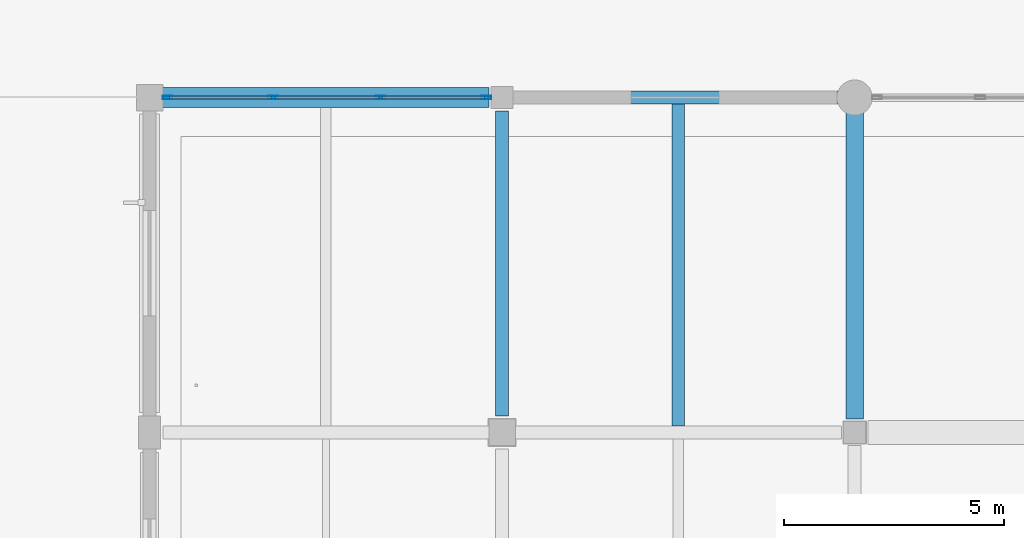
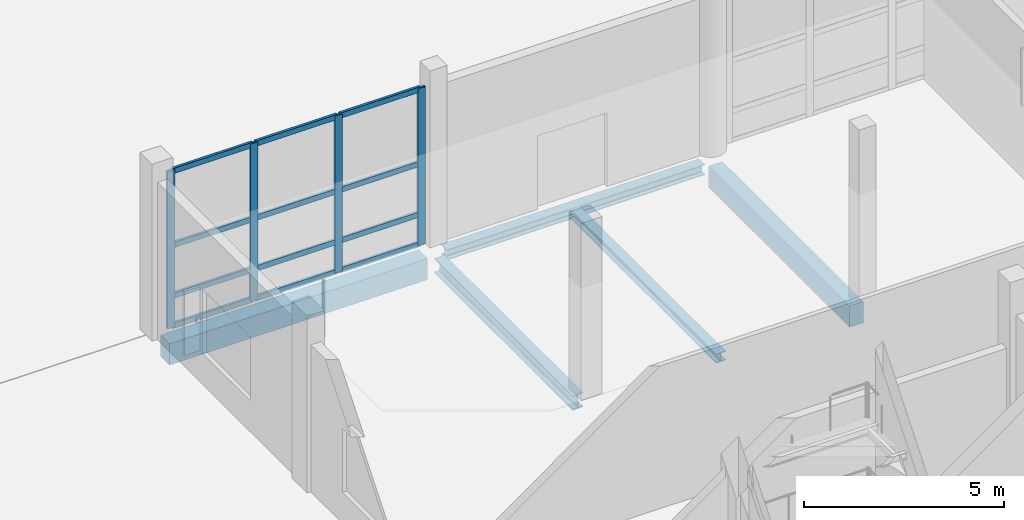
# One storey, part 18 of 126: 16 members, 5 beams, 1 element without a shape of its own.
"""IFC4 building model written with IfcOpenShell, lengths in metres."""

from ifc_helpers import new_model, si_unit, direction, frame, origin, origin_2d, place, context, subcontext, project, spatial, rectangle, hollow_rectangle, i_section, extrude, material, material_profile, profile_set, type_object, element, aggregate, save


model = new_model("IFC4")

# Units and contexts
model_context = context("Model", 3, precision=1e-05, world=origin(), true_north=direction((0.0, 1.0)))
body_context = subcontext(model_context, "Body", "Model", "MODEL_VIEW")
ifc_project = project(units=[si_unit("LENGTHUNIT", "METRE"), si_unit("AREAUNIT", "SQUARE_METRE"), si_unit("VOLUMEUNIT", "CUBIC_METRE"), si_unit("PLANEANGLEUNIT", "RADIAN"), si_unit("MASSUNIT", "GRAM", prefix="KILO")], contexts=[model_context])

# Site, building, storey
site_placement = place(None, origin())
site = spatial("IfcSite", under=ifc_project, at=site_placement, CompositionType="ELEMENT")
building_placement = place(site_placement, origin())
building = spatial("IfcBuilding", under=site, at=building_placement, Name="Khelvaren Railside Concert Hall", CompositionType="ELEMENT")
storey_placement = place(building_placement, origin())
storey = spatial("IfcBuildingStorey", under=building, at=storey_placement, Name="L00", CompositionType="ELEMENT", Elevation=0.0)

# Beams
ifc_material_1 = material(Name="Concrete C40/50", Category="concrete")
ifc_material_profile_1 = material_profile(ifc_material_1, rectangle(XDim=0.39990234375, YDim=0.64990234375, at=origin_2d()), Name="RCB 400x650")
ifc_profile_set_1 = profile_set([ifc_material_profile_1], Name="Concrete C40/50")
beam_type_1 = type_object("IfcBeamType", Name="BM33", PredefinedType="BEAM", material=ifc_profile_set_1)
beam_1_placement = place(storey_placement, frame((80.0, 15.5, -0.64501953125), z_axis=(0.0, 1.0, 0.0), x_axis=(-1.0, 0.0, 0.0)))
element("IfcBeam", 1, at=beam_1_placement, inside=storey, type_object=beam_type_1, Name="V3 L00 Beam Y3.3", PredefinedType="BEAM", context=body_context, shape_type="SweptSolid", body=[
    extrude(rectangle(XDim=0.39990234375, YDim=0.64990234375, at=origin_2d()), origin(), (0.0, 0.0, 1.0), 7.050048828125),
])
ifc_material_2 = material(Name="Steel S355", Category="steel")
ifc_material_profile_2 = material_profile(ifc_material_2, i_section(OverallWidth=0.300048828125, OverallDepth=0.43994140625, WebThickness=0.011474609375, FlangeThickness=0.02099609375, FilletRadius=0.027099609375, at=origin_2d()), Name="HEA 450")
ifc_profile_set_2 = profile_set([ifc_material_profile_2], Name="Steel S355")
beam_type_2 = type_object("IfcBeamType", Name="BM89", PredefinedType="BEAM", material=ifc_profile_set_2)
beam_2_placement = place(storey_placement, frame((72.0, 15.574951171875, -0.5400390625), z_axis=(0.0, 1.0, 0.0), x_axis=(-1.0, 0.0, 0.0)))
element("IfcBeam", 2, at=beam_2_placement, inside=storey, type_object=beam_type_2, Name="V3 L00 Beam Y2.3", PredefinedType="BEAM", context=body_context, shape_type="SweptSolid", body=[
    extrude(i_section(OverallWidth=0.300048828125, OverallDepth=0.43994140625, WebThickness=0.011474609375, FlangeThickness=0.02099609375, FilletRadius=0.027099609375, at=origin_2d()), origin(), (0.0, 0.0, 1.0), 6.925048828125),
])

# Curtain wall, members
ifc_material_3 = material(Name="Triple-glazed solar-control glass", Category="glass")
curtain_wall_type = type_object("IfcCurtainWallType", Name="CW88", PredefinedType="USERDEFINED", material=ifc_material_3)
curtain_wall_placement = place(storey_placement, origin())
curtain_wall = element("IfcCurtainWall", 3, at=curtain_wall_placement, inside=storey, type_object=curtain_wall_type, Name="Unitised Curtain Wall CW-V3-L00-N-64", ObjectType="UNITISED CURTAIN WALL", PredefinedType="USERDEFINED")
ifc_material_4 = material(Name="Anodised architectural aluminium 6063-T6", Category="aluminium")
ifc_material_profile_3 = material_profile(ifc_material_4, hollow_rectangle(XDim=0.074951171875, YDim=0.219970703125, WallThickness=0.0048828125, InnerFilletRadius=0.0029296875, OuterFilletRadius=0.0048828125, at=origin_2d()), Name="CWM 75x220x5")
ifc_profile_set_3 = profile_set([ifc_material_profile_3], Name="Anodised architectural aluminium 6063-T6")
member_type_1 = type_object("IfcMemberType", Name="CWM13", PredefinedType="MULLION", material=ifc_profile_set_3)
member_1_placement = place(storey_placement, frame((64.409912109375, 22.800048828125, 0.0), z_axis=(0.0, 0.0, 1.0), x_axis=(0.0, 1.0, 0.0)))
member_1 = element("IfcMember", 4, at=member_1_placement, type_object=member_type_1, Name="CW88 mullion 1", PredefinedType="MULLION", context=body_context, shape_type="SweptSolid", body=[
    extrude(hollow_rectangle(XDim=0.074951171875, YDim=0.219970703125, WallThickness=0.0048828125, InnerFilletRadius=0.0029296875, OuterFilletRadius=0.0048828125, at=origin_2d()), origin(), (0.0, 0.0, 1.0), 4.800048828125),
])
member_2_placement = place(storey_placement, frame((66.8076171875, 22.800048828125, 0.0), z_axis=(0.0, 0.0, 1.0), x_axis=(0.0, 1.0, 0.0)))
member_2 = element("IfcMember", 5, at=member_2_placement, type_object=member_type_1, Name="CW88 mullion 2", PredefinedType="MULLION", context=body_context, shape_type="SweptSolid", body=[
    extrude(hollow_rectangle(XDim=0.074951171875, YDim=0.219970703125, WallThickness=0.0048828125, InnerFilletRadius=0.0029296875, OuterFilletRadius=0.0048828125, at=origin_2d()), origin(), (0.0, 0.0, 1.0), 4.800048828125),
])
member_3_placement = place(storey_placement, frame((69.242431640625, 22.800048828125, 0.0), z_axis=(0.0, 0.0, 1.0), x_axis=(0.0, 1.0, 0.0)))
member_3 = element("IfcMember", 6, at=member_3_placement, type_object=member_type_1, Name="CW88 mullion 3", PredefinedType="MULLION", context=body_context, shape_type="SweptSolid", body=[
    extrude(hollow_rectangle(XDim=0.074951171875, YDim=0.219970703125, WallThickness=0.0048828125, InnerFilletRadius=0.0029296875, OuterFilletRadius=0.0048828125, at=origin_2d()), origin(), (0.0, 0.0, 1.0), 4.800048828125),
])
member_4_placement = place(storey_placement, frame((71.639892578125, 22.800048828125, 0.0), z_axis=(0.0, 0.0, 1.0), x_axis=(0.0, 1.0, 0.0)))
member_4 = element("IfcMember", 7, at=member_4_placement, type_object=member_type_1, Name="CW88 mullion 4", PredefinedType="MULLION", context=body_context, shape_type="SweptSolid", body=[
    extrude(hollow_rectangle(XDim=0.074951171875, YDim=0.219970703125, WallThickness=0.0048828125, InnerFilletRadius=0.0029296875, OuterFilletRadius=0.0048828125, at=origin_2d()), origin(), (0.0, 0.0, 1.0), 4.800048828125),
])
ifc_material_profile_4 = material_profile(ifc_material_4, hollow_rectangle(XDim=0.074951171875, YDim=0.1650390625, WallThickness=0.00390625, InnerFilletRadius=0.001953125, OuterFilletRadius=0.00390625, at=origin_2d()), Name="CWT 75x165x4")
ifc_profile_set_4 = profile_set([ifc_material_profile_4], Name="Anodised architectural aluminium 6063-T6")
member_type_2 = type_object("IfcMemberType", Name="CWT46", PredefinedType="USERDEFINED", material=ifc_profile_set_4)
member_5_placement = place(storey_placement, frame((64.447509765625, 22.800048828125, 0.03759765625), z_axis=(1.0, 0.0, 0.0), x_axis=(0.0, 1.0, 0.0)))
member_5 = element("IfcMember", 8, at=member_5_placement, type_object=member_type_2, Name="CW88 transom 1.1", ObjectType="TRANSOM", PredefinedType="USERDEFINED", context=body_context, shape_type="SweptSolid", body=[
    extrude(hollow_rectangle(XDim=0.074951171875, YDim=0.1650390625, WallThickness=0.00390625, InnerFilletRadius=0.001953125, OuterFilletRadius=0.00390625, at=origin_2d()), origin(), (0.0, 0.0, 1.0), 2.322509765625),
])
member_6_placement = place(storey_placement, frame((64.447509765625, 22.800048828125, 0.949951171875), z_axis=(1.0, 0.0, 0.0), x_axis=(0.0, 1.0, 0.0)))
member_6 = element("IfcMember", 9, at=member_6_placement, type_object=member_type_2, Name="CW88 transom 1.2", ObjectType="TRANSOM", PredefinedType="USERDEFINED", context=body_context, shape_type="SweptSolid", body=[
    extrude(hollow_rectangle(XDim=0.074951171875, YDim=0.1650390625, WallThickness=0.00390625, InnerFilletRadius=0.001953125, OuterFilletRadius=0.00390625, at=origin_2d()), origin(), (0.0, 0.0, 1.0), 2.322509765625),
])
member_7_placement = place(storey_placement, frame((64.447509765625, 22.800048828125, 2.49609375), z_axis=(1.0, 0.0, 0.0), x_axis=(0.0, 1.0, 0.0)))
member_7 = element("IfcMember", 10, at=member_7_placement, type_object=member_type_2, Name="CW88 transom 1.3", ObjectType="TRANSOM", PredefinedType="USERDEFINED", context=body_context, shape_type="SweptSolid", body=[
    extrude(hollow_rectangle(XDim=0.074951171875, YDim=0.1650390625, WallThickness=0.00390625, InnerFilletRadius=0.001953125, OuterFilletRadius=0.00390625, at=origin_2d()), origin(), (0.0, 0.0, 1.0), 2.322509765625),
])
member_8_placement = place(storey_placement, frame((64.447509765625, 22.800048828125, 4.762451171875), z_axis=(1.0, 0.0, 0.0), x_axis=(0.0, 1.0, 0.0)))
member_8 = element("IfcMember", 11, at=member_8_placement, type_object=member_type_2, Name="CW88 transom 1.4", ObjectType="TRANSOM", PredefinedType="USERDEFINED", context=body_context, shape_type="SweptSolid", body=[
    extrude(hollow_rectangle(XDim=0.074951171875, YDim=0.1650390625, WallThickness=0.00390625, InnerFilletRadius=0.001953125, OuterFilletRadius=0.00390625, at=origin_2d()), origin(), (0.0, 0.0, 1.0), 2.322509765625),
])
member_9_placement = place(storey_placement, frame((66.844970703125, 22.800048828125, 0.03759765625), z_axis=(1.0, 0.0, 0.0), x_axis=(0.0, 1.0, 0.0)))
member_9 = element("IfcMember", 12, at=member_9_placement, type_object=member_type_2, Name="CW88 transom 2.1", ObjectType="TRANSOM", PredefinedType="USERDEFINED", context=body_context, shape_type="SweptSolid", body=[
    extrude(hollow_rectangle(XDim=0.074951171875, YDim=0.1650390625, WallThickness=0.00390625, InnerFilletRadius=0.001953125, OuterFilletRadius=0.00390625, at=origin_2d()), origin(), (0.0, 0.0, 1.0), 2.360107421875),
])
member_10_placement = place(storey_placement, frame((66.844970703125, 22.800048828125, 0.949951171875), z_axis=(1.0, 0.0, 0.0), x_axis=(0.0, 1.0, 0.0)))
member_10 = element("IfcMember", 13, at=member_10_placement, type_object=member_type_2, Name="CW88 transom 2.2", ObjectType="TRANSOM", PredefinedType="USERDEFINED", context=body_context, shape_type="SweptSolid", body=[
    extrude(hollow_rectangle(XDim=0.074951171875, YDim=0.1650390625, WallThickness=0.00390625, InnerFilletRadius=0.001953125, OuterFilletRadius=0.00390625, at=origin_2d()), origin(), (0.0, 0.0, 1.0), 2.360107421875),
])
member_11_placement = place(storey_placement, frame((66.844970703125, 22.800048828125, 2.49609375), z_axis=(1.0, 0.0, 0.0), x_axis=(0.0, 1.0, 0.0)))
member_11 = element("IfcMember", 14, at=member_11_placement, type_object=member_type_2, Name="CW88 transom 2.3", ObjectType="TRANSOM", PredefinedType="USERDEFINED", context=body_context, shape_type="SweptSolid", body=[
    extrude(hollow_rectangle(XDim=0.074951171875, YDim=0.1650390625, WallThickness=0.00390625, InnerFilletRadius=0.001953125, OuterFilletRadius=0.00390625, at=origin_2d()), origin(), (0.0, 0.0, 1.0), 2.360107421875),
])
member_12_placement = place(storey_placement, frame((66.844970703125, 22.800048828125, 4.762451171875), z_axis=(1.0, 0.0, 0.0), x_axis=(0.0, 1.0, 0.0)))
member_12 = element("IfcMember", 15, at=member_12_placement, type_object=member_type_2, Name="CW88 transom 2.4", ObjectType="TRANSOM", PredefinedType="USERDEFINED", context=body_context, shape_type="SweptSolid", body=[
    extrude(hollow_rectangle(XDim=0.074951171875, YDim=0.1650390625, WallThickness=0.00390625, InnerFilletRadius=0.001953125, OuterFilletRadius=0.00390625, at=origin_2d()), origin(), (0.0, 0.0, 1.0), 2.360107421875),
])
member_13_placement = place(storey_placement, frame((69.280029296875, 22.800048828125, 0.03759765625), z_axis=(1.0, 0.0, 0.0), x_axis=(0.0, 1.0, 0.0)))
member_13 = element("IfcMember", 16, at=member_13_placement, type_object=member_type_2, Name="CW88 transom 3.1", ObjectType="TRANSOM", PredefinedType="USERDEFINED", context=body_context, shape_type="SweptSolid", body=[
    extrude(hollow_rectangle(XDim=0.074951171875, YDim=0.1650390625, WallThickness=0.00390625, InnerFilletRadius=0.001953125, OuterFilletRadius=0.00390625, at=origin_2d()), origin(), (0.0, 0.0, 1.0), 2.322509765625),
])
member_14_placement = place(storey_placement, frame((69.280029296875, 22.800048828125, 0.949951171875), z_axis=(1.0, 0.0, 0.0), x_axis=(0.0, 1.0, 0.0)))
member_14 = element("IfcMember", 17, at=member_14_placement, type_object=member_type_2, Name="CW88 transom 3.2", ObjectType="TRANSOM", PredefinedType="USERDEFINED", context=body_context, shape_type="SweptSolid", body=[
    extrude(hollow_rectangle(XDim=0.074951171875, YDim=0.1650390625, WallThickness=0.00390625, InnerFilletRadius=0.001953125, OuterFilletRadius=0.00390625, at=origin_2d()), origin(), (0.0, 0.0, 1.0), 2.322509765625),
])
member_15_placement = place(storey_placement, frame((69.280029296875, 22.800048828125, 2.49609375), z_axis=(1.0, 0.0, 0.0), x_axis=(0.0, 1.0, 0.0)))
member_15 = element("IfcMember", 18, at=member_15_placement, type_object=member_type_2, Name="CW88 transom 3.3", ObjectType="TRANSOM", PredefinedType="USERDEFINED", context=body_context, shape_type="SweptSolid", body=[
    extrude(hollow_rectangle(XDim=0.074951171875, YDim=0.1650390625, WallThickness=0.00390625, InnerFilletRadius=0.001953125, OuterFilletRadius=0.00390625, at=origin_2d()), origin(), (0.0, 0.0, 1.0), 2.322509765625),
])
member_16_placement = place(storey_placement, frame((69.280029296875, 22.800048828125, 4.762451171875), z_axis=(1.0, 0.0, 0.0), x_axis=(0.0, 1.0, 0.0)))
member_16 = element("IfcMember", 19, at=member_16_placement, type_object=member_type_2, Name="CW88 transom 3.4", ObjectType="TRANSOM", PredefinedType="USERDEFINED", context=body_context, shape_type="SweptSolid", body=[
    extrude(hollow_rectangle(XDim=0.074951171875, YDim=0.1650390625, WallThickness=0.00390625, InnerFilletRadius=0.001953125, OuterFilletRadius=0.00390625, at=origin_2d()), origin(), (0.0, 0.0, 1.0), 2.322509765625),
])
aggregate(curtain_wall, [member_1, member_2, member_3, member_4, member_5, member_6, member_7, member_8, member_9, member_10, member_11, member_12, member_13, member_14, member_15, member_16])

# Beams
ifc_material_profile_5 = material_profile(ifc_material_2, i_section(OverallWidth=0.280029296875, OverallDepth=0.27001953125, WebThickness=0.008056640625, FlangeThickness=0.012939453125, FilletRadius=0.02392578125, at=origin_2d()), Name="HEA 280")
ifc_profile_set_5 = profile_set([ifc_material_profile_5], Name="Steel S355")
beam_type_3 = type_object("IfcBeamType", Name="JS46", PredefinedType="JOIST", material=ifc_profile_set_5)
beam_3_placement = place(storey_placement, frame((76.0, 15.35009765625, -0.455078125), z_axis=(0.0, 1.0, 0.0), x_axis=(-1.0, 0.0, 0.0)))
element("IfcBeam", 20, at=beam_3_placement, inside=storey, type_object=beam_type_3, Name="V3 L00 Secondary Joist 2.3", PredefinedType="JOIST", context=body_context, shape_type="SweptSolid", body=[
    extrude(i_section(OverallWidth=0.280029296875, OverallDepth=0.27001953125, WebThickness=0.008056640625, FlangeThickness=0.012939453125, FilletRadius=0.02392578125, at=origin_2d()), origin(), (0.0, 0.0, 1.0), 7.2998046875),
])
ifc_material_profile_6 = material_profile(ifc_material_1, rectangle(XDim=0.449951171875, YDim=0.64990234375, at=origin_2d()), Name="RCB 450x650")
ifc_profile_set_6 = profile_set([ifc_material_profile_6], Name="Concrete C40/50")
beam_type_4 = type_object("IfcBeamType", Name="SP34", PredefinedType="SPANDREL", material=ifc_profile_set_6)
beam_4_placement = place(storey_placement, frame((64.25, 22.800048828125, -0.64501953125), z_axis=(1.0, 0.0, 0.0), x_axis=(0.0, 1.0, 0.0)))
element("IfcBeam", 21, at=beam_4_placement, inside=storey, type_object=beam_type_4, Name="V3 L00 Spandrel X4.1", PredefinedType="SPANDREL", context=body_context, shape_type="SweptSolid", body=[
    extrude(rectangle(XDim=0.449951171875, YDim=0.64990234375, at=origin_2d()), origin(), (0.0, 0.0, 1.0), 7.449951171875),
])
ifc_material_profile_7 = material_profile(ifc_material_2, i_section(OverallWidth=0.300048828125, OverallDepth=0.31005859375, WebThickness=0.009033203125, FlangeThickness=0.015380859375, FilletRadius=0.027099609375, at=origin_2d()), Name="HEA 320")
ifc_profile_set_7 = profile_set([ifc_material_profile_7], Name="Steel S355")
beam_type_5 = type_object("IfcBeamType", Name="SP66", PredefinedType="SPANDREL", material=ifc_profile_set_7)
beam_5_placement = place(storey_placement, frame((72.300048828125, 22.800048828125, -0.47509765625), z_axis=(1.0, 0.0, 0.0), x_axis=(0.0, 1.0, 0.0)))
element("IfcBeam", 22, at=beam_5_placement, inside=storey, type_object=beam_type_5, Name="V3 L00 Spandrel X4.2", PredefinedType="SPANDREL", context=body_context, shape_type="SweptSolid", body=[
    extrude(i_section(OverallWidth=0.300048828125, OverallDepth=0.31005859375, WebThickness=0.009033203125, FlangeThickness=0.015380859375, FilletRadius=0.027099609375, at=origin_2d()), origin(), (0.0, 0.0, 1.0), 7.449951171875),
])

save(model, "model.ifc")
